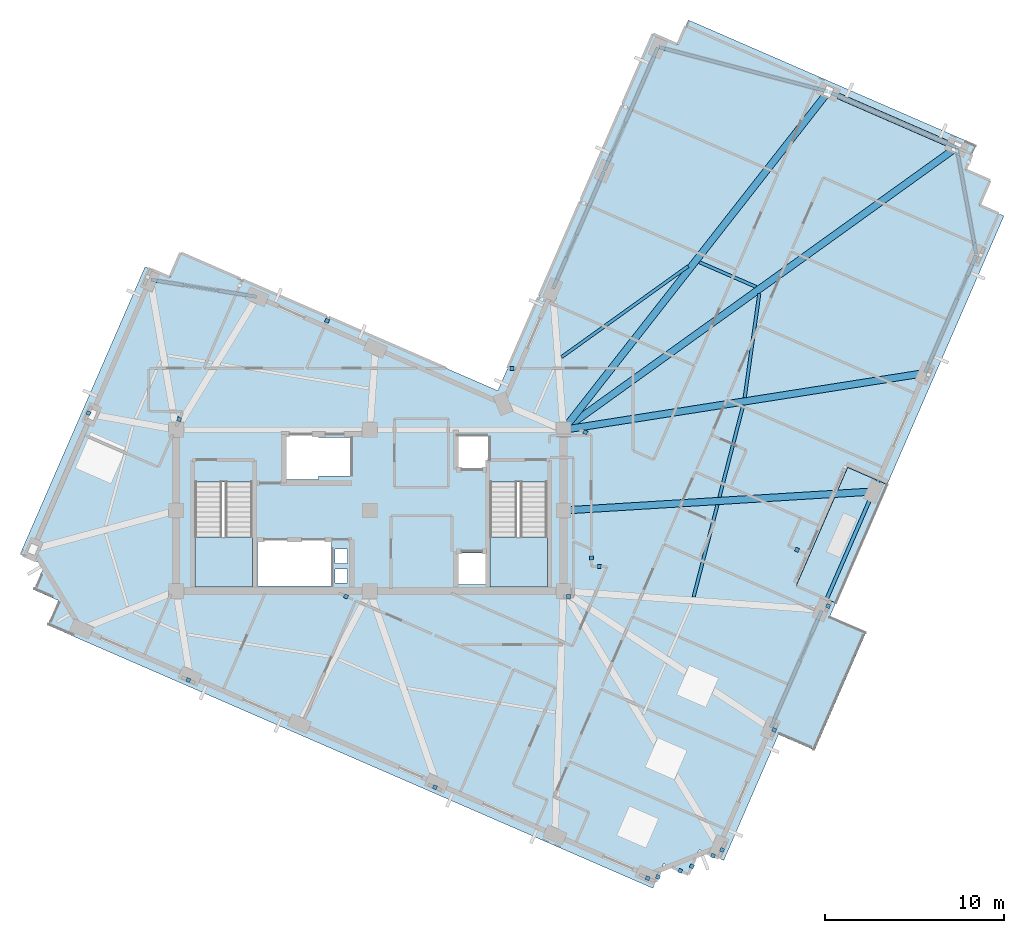
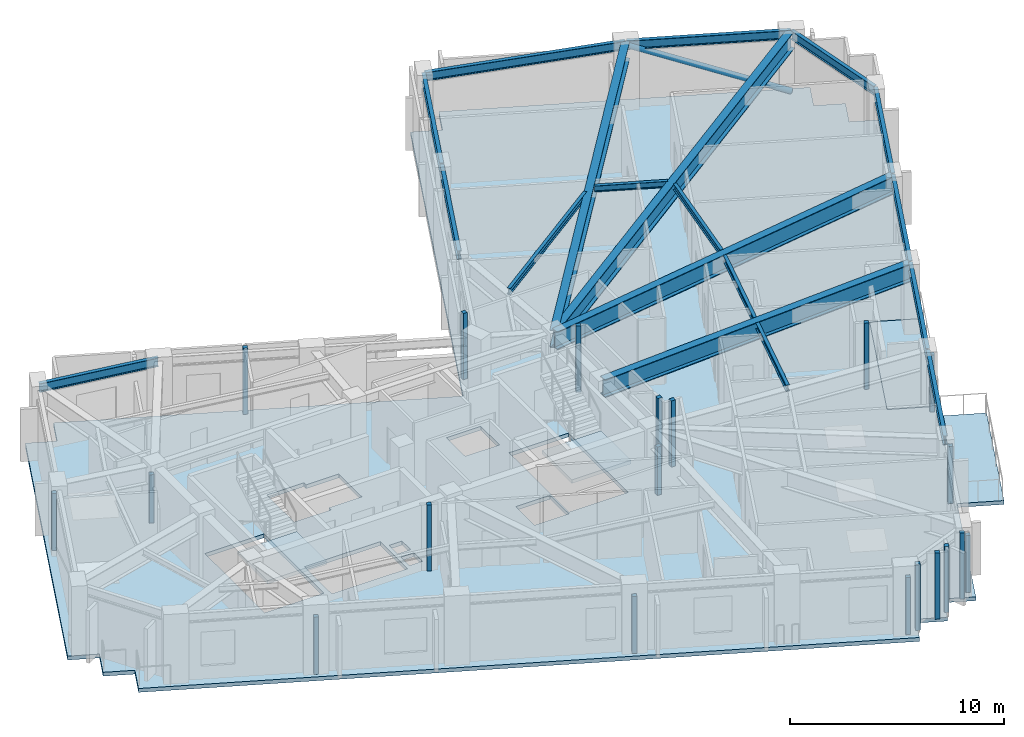
# One storey, part 2 of 11: 20 plates, 19 beams, 4 slabs, 1 member, 2 elements without a shape of their own.
"""IFC4 building model written with IfcOpenShell, lengths in metres."""

import ifcopenshell
import ifcopenshell.guid

model = None  # the IFC model being written
_history = None  # IfcOwnerHistory: only IFC2X3 demands one
_inside = {}  # id of a spatial element -> (the spatial element, [elements in it])
_under = {}  # id of a project, library or spatial element -> (it, [spatial elements below it])
_declared = {}  # id of a project -> (the project, [libraries it declares])
_typed = {}  # id of a type object -> (the type object, [elements of that type])
_made_of = {}  # id of a material, layer set ... -> (it, [elements and type objects made of it])


def new_model(schema):
    """Start an empty IFC model of exactly this schema.

    Asked for "IFC4X3", IfcOpenShell would pick the latest addendum, in which some entities
    have other attributes; the version numbers below select the first issue.
    IFC2X3 requires an IfcOwnerHistory on every rooted entity: one is made here for all.
    """
    global model, _history
    if schema == "IFC4X3":
        model = ifcopenshell.file(schema_version=(4, 3, 0, 0))
    else:
        model = ifcopenshell.file(schema=schema)
    _inside.clear()
    _under.clear()
    _declared.clear()
    _typed.clear()
    _made_of.clear()
    _history = None
    if model.schema == "IFC2X3":
        org = make("IfcOrganization", Name="unknown")
        user = make(
            "IfcPersonAndOrganization",
            ThePerson=make("IfcPerson", FamilyName="unknown"),
            TheOrganization=org,
        )
        app = make(
            "IfcApplication",
            ApplicationDeveloper=org,
            Version="unknown",
            ApplicationFullName="unknown",
            ApplicationIdentifier="unknown",
        )
        _history = make(
            "IfcOwnerHistory",
            OwningUser=user,
            OwningApplication=app,
            ChangeAction="ADDED",
            CreationDate=0,
        )
    return model


def make(cls, **values):
    """One entity of the class cls with the attributes given. An attribute that is None is left unset."""
    return model.create_entity(
        cls, **{name: value for name, value in values.items() if value is not None}
    )


def rooted(cls, **values):
    """An entity with a GlobalId (a new one), such as an element, a storey or a relation."""
    return make(cls, GlobalId=ifcopenshell.guid.new(), OwnerHistory=_history, **values)


def si_unit(unit_type, name, prefix=None):
    """IfcSIUnit, for example si_unit("LENGTHUNIT", "METRE", prefix="MILLI")."""
    return make("IfcSIUnit", UnitType=unit_type, Prefix=prefix, Name=name)


def assignment(units):
    """IfcUnitAssignment: the units of a project."""
    return None if units is None else make("IfcUnitAssignment", Units=units)


def point(xyz):
    """IfcCartesianPoint."""
    return None if xyz is None else make("IfcCartesianPoint", Coordinates=xyz)


def direction(xyz):
    """IfcDirection."""
    return None if xyz is None else make("IfcDirection", DirectionRatios=xyz)


def frame(location, z_axis=None, x_axis=None):
    """IfcAxis2Placement3D, a coordinate frame: its origin and axes. An axis left out is left unset."""
    return make(
        "IfcAxis2Placement3D",
        Location=point(location),
        Axis=direction(z_axis),
        RefDirection=direction(x_axis),
    )


def frame_2d(location, x_axis=None):
    """IfcAxis2Placement2D, a coordinate frame in the plane: its origin and x axis."""
    return make(
        "IfcAxis2Placement2D", Location=point(location), RefDirection=direction(x_axis)
    )


def origin():
    """The frame at (0, 0, 0) with its axes left unset."""
    return frame((0.0, 0.0, 0.0))


def origin_2d():
    """The frame at (0, 0) in the plane with its x axis left unset."""
    return frame_2d((0.0, 0.0))


def place(relative_to, where):
    """IfcLocalPlacement: puts the frame where relative to a parent placement (None: the world)."""
    return make(
        "IfcLocalPlacement", PlacementRelTo=relative_to, RelativePlacement=where
    )


def context(
    kind, dimensions, precision=None, world=None, true_north=None, identifier=None
):
    """IfcGeometricRepresentationContext, for example the 3D "Model" context."""
    return make(
        "IfcGeometricRepresentationContext",
        ContextIdentifier=identifier,
        ContextType=kind,
        CoordinateSpaceDimension=dimensions,
        Precision=precision,
        WorldCoordinateSystem=world,
        TrueNorth=true_north,
    )


def subcontext(parent, identifier, kind, view, scale=None):
    """IfcGeometricRepresentationSubContext, for example "Body" below "Model"."""
    return make(
        "IfcGeometricRepresentationSubContext",
        ContextIdentifier=identifier,
        ContextType=kind,
        ParentContext=parent,
        TargetScale=scale,
        TargetView=view,
    )


def project(units=None, contexts=None):
    """IfcProject with its units and contexts."""
    return rooted(
        "IfcProject",
        Name="project",
        RepresentationContexts=contexts,
        UnitsInContext=assignment(units),
    )


def spatial(cls, under=None, at=None, **own):
    """A site, building, storey or space (cls), placed at a placement, below another one or the project."""
    s = rooted(cls, ObjectPlacement=at, **own)
    if under is not None:
        _under.setdefault(under.id(), (under, []))[1].append(s)
    return s


def polyline(points):
    """IfcPolyline through the points."""
    return make("IfcPolyline", Points=[point(p) for p in points])


def profile(cls, at=None, kind="AREA", **sizes):
    """A parametric profile (cls). Its sizes go by their IFC names, for example OverallWidth=200.0."""
    return make(cls, ProfileType=kind, Position=at, **sizes)


def rectangle(**sizes):
    """IfcRectangleProfileDef."""
    return profile("IfcRectangleProfileDef", **sizes)


def hollow_circle(**sizes):
    """IfcCircleHollowProfileDef."""
    return profile("IfcCircleHollowProfileDef", **sizes)


def i_section(**sizes):
    """IfcIShapeProfileDef."""
    return profile("IfcIShapeProfileDef", **sizes)


def outline(outer, holes=None, kind="AREA"):
    """IfcArbitraryClosedProfileDef: a profile drawn as a closed curve; with holes, ...WithVoids."""
    if holes is None:
        return make("IfcArbitraryClosedProfileDef", ProfileType=kind, OuterCurve=outer)
    return make(
        "IfcArbitraryProfileDefWithVoids",
        ProfileType=kind,
        OuterCurve=outer,
        InnerCurves=holes,
    )


def extrude(swept, where, along, depth):
    """IfcExtrudedAreaSolid: the profile swept, set in the frame where, extruded along a direction by depth."""
    return make(
        "IfcExtrudedAreaSolid",
        SweptArea=swept,
        Position=where,
        ExtrudedDirection=direction(along),
        Depth=depth,
    )


def shape(context_of_items, identifier, shape_type, items):
    """IfcShapeRepresentation: the items that make up one representation, for example the "Body"."""
    return make(
        "IfcShapeRepresentation",
        ContextOfItems=context_of_items,
        RepresentationIdentifier=identifier,
        RepresentationType=shape_type,
        Items=items,
    )


def material(Name=None, Category=None):
    """IfcMaterial."""
    return make("IfcMaterial", Name=Name, Category=Category)


def layer(
    of_material, thickness, ventilated=None, Name=None, Category=None, Priority=None
):
    """IfcMaterialLayer: one layer of a wall or slab, of a material (None: an air gap)."""
    return make(
        "IfcMaterialLayer",
        Material=of_material,
        LayerThickness=thickness,
        IsVentilated=ventilated,
        Name=Name,
        Category=Category,
        Priority=Priority,
    )


def layer_set(layers, Name=None):
    """IfcMaterialLayerSet."""
    return make("IfcMaterialLayerSet", MaterialLayers=layers, LayerSetName=Name)


def material_profile(
    of_material, cross_section, Name=None, Category=None, Priority=None
):
    """IfcMaterialProfile: a cross section and its material."""
    return make(
        "IfcMaterialProfile",
        Name=Name,
        Material=of_material,
        Profile=cross_section,
        Priority=Priority,
        Category=Category,
    )


def profile_set(profiles, Name=None, composite=None):
    """IfcMaterialProfileSet."""
    return make(
        "IfcMaterialProfileSet",
        Name=Name,
        MaterialProfiles=profiles,
        CompositeProfile=composite,
    )


def made_of(thing, what):
    """Note that an element or type object is made of a material, layer set ...; save() writes the relation."""
    if what is not None:
        _made_of.setdefault(what.id(), (what, []))[1].append(thing)
    return thing


def type_object(cls, material=None, **own):
    """A type object (cls), such as IfcWallType, which elements share."""
    return made_of(rooted(cls, **own), material)


def element(
    cls,
    number,
    at=None,
    inside=None,
    cuts=None,
    type_object=None,
    material=None,
    context=None,
    identifier="Body",
    shape_type=None,
    held_by="IfcProductDefinitionShape",
    body=None,
    shapes=None,
    **own,
):
    """One element of the class cls, such as IfcWall. Its Tag is "e" and its number.

    at: its placement. inside: the storey or other place that contains it. cuts: it is an
    opening in that element (IfcRelVoidsElement). A single representation is given by context,
    identifier, shape_type and body (its items); several are given by shapes. held_by: the class
    of the entity that holds the representations. save() writes the other relations.
    """
    e = rooted(cls, Tag="e%d" % number, ObjectPlacement=at, **own)
    if body is not None:
        shapes = [shape(context, identifier, shape_type, body)]
    if shapes is not None:
        e.Representation = make(held_by, Representations=shapes)
    if inside is not None:
        _inside.setdefault(inside.id(), (inside, []))[1].append(e)
    if cuts is not None:
        rooted(
            "IfcRelVoidsElement", RelatingBuildingElement=cuts, RelatedOpeningElement=e
        )
    if type_object is not None:
        _typed.setdefault(type_object.id(), (type_object, []))[1].append(e)
    return made_of(e, material)


def aggregate(whole, parts):
    """IfcRelAggregates: a whole, such as a stair, and the parts it consists of."""
    return rooted("IfcRelAggregates", RelatingObject=whole, RelatedObjects=parts)


def save(model, path):
    """Write the relations noted so far, then the file.

    IfcRelAggregates (storeys below a building ...), IfcRelContainedInSpatialStructure (elements
    in a storey), IfcRelDefinesByType, IfcRelAssociatesMaterial and IfcRelDeclares: one each for
    every whole, place, type object, material and project.
    """
    for whole, parts in _under.values():
        aggregate(whole, parts)
    for where, things in _inside.values():
        rooted(
            "IfcRelContainedInSpatialStructure",
            RelatedElements=things,
            RelatingStructure=where,
        )
    for kind, things in _typed.values():
        rooted("IfcRelDefinesByType", RelatedObjects=things, RelatingType=kind)
    for what, things in _made_of.values():
        rooted("IfcRelAssociatesMaterial", RelatedObjects=things, RelatingMaterial=what)
    for by, libraries in _declared.values():
        rooted("IfcRelDeclares", RelatingContext=by, RelatedDefinitions=libraries)
    model.write(path)


model = new_model("IFC4")

# Units and contexts
model_context = context("Model", 3, precision=1e-05, world=origin(), true_north=direction((0.0, 1.0)))
body_context = subcontext(model_context, "Body", "Model", "MODEL_VIEW")
ifc_project = project(units=[si_unit("LENGTHUNIT", "METRE"), si_unit("AREAUNIT", "SQUARE_METRE"), si_unit("VOLUMEUNIT", "CUBIC_METRE"), si_unit("PLANEANGLEUNIT", "RADIAN"), si_unit("MASSUNIT", "GRAM", prefix="KILO")], contexts=[model_context])

# Site, building, storey
site_placement = place(None, origin())
site = spatial("IfcSite", under=ifc_project, at=site_placement, CompositionType="ELEMENT")
building_placement = place(site_placement, origin())
building = spatial("IfcBuilding", under=site, at=building_placement, Name="Gaonmaruhae Medical Tower", CompositionType="ELEMENT")
storey_placement = place(building_placement, frame((0.0, 0.0, 324.60009765625)))
storey = spatial("IfcBuildingStorey", under=building, at=storey_placement, Name="L78", CompositionType="ELEMENT", Elevation=324.60009765625)

# Beams
ifc_material_1 = material(Name="Steel SM420", Category="steel")
ifc_material_profile_1 = material_profile(ifc_material_1, i_section(OverallWidth=0.39990234375, OverallDepth=1.0, WebThickness=0.02197265625, FlangeThickness=0.035888671875, at=origin_2d()), Name="BH-1000x400x22x36")
ifc_profile_set_1 = profile_set([ifc_material_profile_1], Name="Steel SM420")
beam_type_1 = type_object("IfcBeamType", Name="BG-02 Refuge Floor Primary Girder (BH-1000x400x22x36)", PredefinedType="BEAM", material=ifc_profile_set_1)
beam_1_placement = place(storey_placement, frame((35.64990234375, 12.302978515625, 3.27978515625), z_axis=(0.998125311209, 0.061203456791, 0.0), x_axis=(-0.061203456791, 0.998125311209, 0.0)))
element("IfcBeam", 1, at=beam_1_placement, inside=storey, type_object=beam_type_1, Name="L78 Radial Primary Girder S04", PredefinedType="BEAM", context=body_context, shape_type="SweptSolid", body=[
    extrude(i_section(OverallWidth=0.39990234375, OverallDepth=1.0, WebThickness=0.02197265625, FlangeThickness=0.035888671875, at=origin_2d()), origin(), (0.0, 0.0, 1.0), 17.220458984375),
])
beam_2_placement = place(storey_placement, frame((35.6494140625, 16.807861328125, 3.27978515625), z_axis=(0.987915736395, 0.15499192812, 0.0), x_axis=(-0.15499192812, 0.987915736395, 0.0)))
element("IfcBeam", 2, at=beam_2_placement, inside=storey, type_object=beam_type_1, Name="L78 Radial Primary Girder S05", PredefinedType="BEAM", context=body_context, shape_type="SweptSolid", body=[
    extrude(i_section(OverallWidth=0.39990234375, OverallDepth=1.0, WebThickness=0.02197265625, FlangeThickness=0.035888671875, at=origin_2d()), origin(), (0.0, 0.0, 1.0), 20.3056640625),
])
beam_3_placement = place(storey_placement, frame((35.640625, 16.8291015625, 3.27978515625), z_axis=(0.812127869731, 0.583479496818, 0.0), x_axis=(-0.583479496818, 0.812127869731, 0.0)))
element("IfcBeam", 3, at=beam_3_placement, inside=storey, type_object=beam_type_1, Name="L78 Radial Primary Girder E01", PredefinedType="BEAM", context=body_context, shape_type="SweptSolid", body=[
    extrude(i_section(OverallWidth=0.39990234375, OverallDepth=1.0, WebThickness=0.02197265625, FlangeThickness=0.035888671875, at=origin_2d()), origin(), (0.0, 0.0, 1.0), 26.89794921875),
])
beam_4_placement = place(storey_placement, frame((35.630859375, 16.83935546875, 3.27978515625), z_axis=(0.616575305367, 0.78729593725, 0.0), x_axis=(-0.78729593725, 0.616575305367, 0.0)))
element("IfcBeam", 4, at=beam_4_placement, inside=storey, type_object=beam_type_1, Name="L78 Radial Primary Girder E02", PredefinedType="BEAM", context=body_context, shape_type="SweptSolid", body=[
    extrude(i_section(OverallWidth=0.39990234375, OverallDepth=1.0, WebThickness=0.02197265625, FlangeThickness=0.035888671875, at=origin_2d()), origin(), (0.0, 0.0, 1.0), 23.859130859375),
])
ifc_material_2 = material(Name="Steel SM355", Category="steel")
ifc_material_profile_2 = material_profile(ifc_material_2, i_section(OverallWidth=0.175048828125, OverallDepth=0.35009765625, WebThickness=0.007080078125, FlangeThickness=0.010986328125, FilletRadius=0.012939453125, at=origin_2d()), Name="H-350x175x7x11")
ifc_profile_set_2 = profile_set([ifc_material_profile_2], Name="Steel SM355")
beam_type_2 = type_object("IfcBeamType", Name="FJ-02 Upper Zone Ward Floor Joist (H-350x175x7x11)", PredefinedType="JOIST", material=ifc_profile_set_2)
beam_5_placement = place(storey_placement, frame((42.86083984375, 7.481201171875, 3.60498046875), z_axis=(0.250373159945, 0.968149410359, 0.0), x_axis=(-0.968149410359, 0.250373159945, 0.0)))
element("IfcBeam", 5, at=beam_5_placement, inside=storey, type_object=beam_type_2, Name="L78 Secondary Floor Joist FJ03", PredefinedType="JOIST", context=body_context, shape_type="SweptSolid", body=[
    extrude(i_section(OverallWidth=0.175048828125, OverallDepth=0.35009765625, WebThickness=0.007080078125, FlangeThickness=0.010986328125, FilletRadius=0.012939453125, at=origin_2d()), origin(), (0.0, 0.0, 1.0), 5.30859375),
])
beam_6_placement = place(storey_placement, frame((44.298095703125, 13.03955078125, 3.60498046875), z_axis=(0.25037313325, 0.968149417263, 0.0), x_axis=(-0.968149417263, 0.25037313325, 0.0)))
element("IfcBeam", 6, at=beam_6_placement, inside=storey, type_object=beam_type_2, Name="L78 Secondary Floor Joist FJ04", PredefinedType="JOIST", context=body_context, shape_type="SweptSolid", body=[
    extrude(i_section(OverallWidth=0.175048828125, OverallDepth=0.35009765625, WebThickness=0.007080078125, FlangeThickness=0.010986328125, FilletRadius=0.012939453125, at=origin_2d()), origin(), (0.0, 0.0, 1.0), 5.2939453125),
])
beam_7_placement = place(storey_placement, frame((45.70947265625, 18.594482421875, 3.60498046875), z_axis=(0.138970704931, 0.990296492557, 0.0), x_axis=(-0.990296492557, 0.138970704931, 0.0)))
element("IfcBeam", 7, at=beam_7_placement, inside=storey, type_object=beam_type_2, Name="L78 Secondary Floor Joist FJ05", PredefinedType="JOIST", context=body_context, shape_type="SweptSolid", body=[
    extrude(i_section(OverallWidth=0.175048828125, OverallDepth=0.35009765625, WebThickness=0.007080078125, FlangeThickness=0.010986328125, FilletRadius=0.012939453125, at=origin_2d()), origin(), (0.0, 0.0, 1.0), 5.85888671875),
])
beam_8_placement = place(storey_placement, frame((46.34375, 24.771484375, 3.60498046875), z_axis=(-0.917037412136, 0.39880118448, 0.0), x_axis=(-0.39880118448, -0.917037412136, 0.0)))
element("IfcBeam", 8, at=beam_8_placement, inside=storey, type_object=beam_type_2, Name="L78 Secondary Floor Joist FJ06", PredefinedType="JOIST", context=body_context, shape_type="SweptSolid", body=[
    extrude(i_section(OverallWidth=0.175048828125, OverallDepth=0.35009765625, WebThickness=0.007080078125, FlangeThickness=0.010986328125, FilletRadius=0.012939453125, at=origin_2d()), origin(), (0.0, 0.0, 1.0), 3.448486328125),
])
beam_9_placement = place(storey_placement, frame((42.553955078125, 25.921142578125, 3.60498046875), z_axis=(-0.812434971378, -0.583051813548, 0.0), x_axis=(0.583051813548, -0.812434971378, 0.0)))
element("IfcBeam", 9, at=beam_9_placement, inside=storey, type_object=beam_type_2, Name="L78 Secondary Floor Joist FJ07", PredefinedType="JOIST", context=body_context, shape_type="SweptSolid", body=[
    extrude(i_section(OverallWidth=0.175048828125, OverallDepth=0.35009765625, WebThickness=0.007080078125, FlangeThickness=0.010986328125, FilletRadius=0.012939453125, at=origin_2d()), origin(), (0.0, 0.0, 1.0), 8.690185546875),
])

# Member
ifc_material_profile_3 = material_profile(ifc_material_2, hollow_circle(Radius=0.1591796875, WallThickness=0.01025390625, at=origin_2d()), Name="CHS-318.5x10.3")
ifc_profile_set_3 = profile_set([ifc_material_profile_3], Name="Steel SM355")
member_type = type_object("IfcMemberType", Name="PB-03 Perimeter Solid-Bay Tube Brace Upper (CHS-318.5x10.3)", PredefinedType="BRACE", material=ifc_profile_set_3)
member_placement = place(storey_placement, frame((57.525634765625, 32.552734375, 0.25), z_axis=(-0.845363434986, 0.367570646402, 0.387624151328), x_axis=(-0.398745568807, -0.917061596272, 0.0)))
element("IfcMember", 10, at=member_placement, inside=storey, type_object=member_type, Name="L78 Perimeter Tube Solid-Bay Brace E01-E02", PredefinedType="BRACE", context=body_context, shape_type="SweptSolid", body=[
    extrude(hollow_circle(Radius=0.1591796875, WallThickness=0.01025390625, at=origin_2d()), origin(), (0.0, 0.0, 1.0), 8.461181640625),
])

# Beams
ifc_material_profile_4 = material_profile(ifc_material_2, i_section(OverallWidth=0.199951171875, OverallDepth=0.5, WebThickness=0.010009765625, FlangeThickness=0.01611328125, FilletRadius=0.012939453125, at=origin_2d()), Name="H-500x200x10x16")
ifc_profile_set_4 = profile_set([ifc_material_profile_4], Name="Steel SM355")
beam_type_3 = type_object("IfcBeamType", Name="SP-02 Upper Perimeter Spandrel Beam (H-500x200x10x16)", PredefinedType="SPANDREL", material=ifc_profile_set_4)
beam_10_placement = place(storey_placement, frame((47.162109375, 0.191162109375, 3.52978515625), z_axis=(0.398759965154, 0.917055336493, 0.0), x_axis=(-0.917055336493, 0.398759965154, 0.0)))
element("IfcBeam", 11, at=beam_10_placement, inside=storey, type_object=beam_type_3, Name="L78 Perimeter Spandrel Beam S02-S03", PredefinedType="SPANDREL", context=body_context, shape_type="SweptSolid", body=[
    extrude(i_section(OverallWidth=0.199951171875, OverallDepth=0.5, WebThickness=0.010009765625, FlangeThickness=0.01611328125, FilletRadius=0.012939453125, at=origin_2d()), origin(), (0.0, 0.0, 1.0), 7.119873046875),
])
for number, where, z_axis, x_axis, name in (
    (12, (50.032958984375, 6.7939453125, 3.52978515625), (0.398747426125, 0.917060788693, 0.0), (-0.917060788693, 0.398747426125, 0.0), "L78 Perimeter Spandrel Beam S03-S04"),
    (13, (52.904052734375, 13.396728515625, 3.52978515625), (0.398747426125, 0.917060788693, 0.0), (-0.917060788693, 0.398747426125, 0.0), "L78 Perimeter Spandrel Beam S04-S05"),
):
    element("IfcBeam", number, at=place(storey_placement, frame(where, z_axis=z_axis, x_axis=x_axis)), inside=storey, type_object=beam_type_3, Name=name, PredefinedType="SPANDREL", context=body_context, shape_type="SweptSolid", body=[
        extrude(i_section(OverallWidth=0.199951171875, OverallDepth=0.5, WebThickness=0.010009765625, FlangeThickness=0.01611328125, FilletRadius=0.012939453125, at=origin_2d()), origin(), (0.0, 0.0, 1.0), 7.1201171875),
    ])
beam_11_placement = place(storey_placement, frame((55.775146484375, 19.99951171875, 3.52978515625), z_axis=(0.398718588421, 0.917073327083, 0.0), x_axis=(-0.917073327083, 0.398718588421, 0.0)))
element("IfcBeam", 14, at=beam_11_placement, inside=storey, type_object=beam_type_3, Name="L78 Perimeter Spandrel Beam S05-S06", PredefinedType="SPANDREL", context=body_context, shape_type="SweptSolid", body=[
    extrude(i_section(OverallWidth=0.199951171875, OverallDepth=0.5, WebThickness=0.010009765625, FlangeThickness=0.01611328125, FilletRadius=0.012939453125, at=origin_2d()), origin(), (0.0, 0.0, 1.0), 7.119873046875),
])
beam_12_placement = place(storey_placement, frame((58.622802734375, 26.60498046875, 3.52978515625), z_axis=(-0.181402379506, 0.983408957001, 0.0), x_axis=(-0.983408957001, -0.181402379506, 0.0)))
element("IfcBeam", 15, at=beam_12_placement, inside=storey, type_object=beam_type_3, Name="L78 Perimeter Spandrel Beam S06-E01", PredefinedType="SPANDREL", context=body_context, shape_type="SweptSolid", body=[
    extrude(i_section(OverallWidth=0.199951171875, OverallDepth=0.5, WebThickness=0.010009765625, FlangeThickness=0.01611328125, FilletRadius=0.012939453125, at=origin_2d()), origin(), (0.0, 0.0, 1.0), 6.0078125),
])
beam_13_placement = place(storey_placement, frame((57.489013671875, 32.568603515625, 3.52978515625), z_axis=(-0.91705648068, 0.398757333778, 0.0), x_axis=(-0.398757333778, -0.91705648068, 0.0)))
element("IfcBeam", 16, at=beam_13_placement, inside=storey, type_object=beam_type_3, Name="L78 Perimeter Spandrel Beam E01-E02", PredefinedType="SPANDREL", context=body_context, shape_type="SweptSolid", body=[
    extrude(i_section(OverallWidth=0.199951171875, OverallDepth=0.5, WebThickness=0.010009765625, FlangeThickness=0.01611328125, FilletRadius=0.012939453125, at=origin_2d()), origin(), (0.0, 0.0, 1.0), 7.719970703125),
])
beam_14_placement = place(storey_placement, frame((50.333984375, 35.673095703125, 3.52978515625), z_axis=(-0.967227039177, 0.253913084904, 0.0), x_axis=(-0.253913084904, -0.967227039177, 0.0)))
element("IfcBeam", 17, at=beam_14_placement, inside=storey, type_object=beam_type_3, Name="L78 Perimeter Spandrel Beam E02-E03", PredefinedType="SPANDREL", context=body_context, shape_type="SweptSolid", body=[
    extrude(i_section(OverallWidth=0.199951171875, OverallDepth=0.5, WebThickness=0.010009765625, FlangeThickness=0.01611328125, FilletRadius=0.012939453125, at=origin_2d()), origin(), (0.0, 0.0, 1.0), 9.7353515625),
])
beam_15_placement = place(storey_placement, frame((40.863037109375, 38.118408203125, 3.52978515625), z_axis=(-0.398738062403, -0.917064860079, 0.0), x_axis=(0.917064860079, -0.398738062403, 0.0)))
element("IfcBeam", 18, at=beam_15_placement, inside=storey, type_object=beam_type_3, Name="L78 Perimeter Spandrel Beam E03-EN01", PredefinedType="SPANDREL", context=body_context, shape_type="SweptSolid", body=[
    extrude(i_section(OverallWidth=0.199951171875, OverallDepth=0.5, WebThickness=0.010009765625, FlangeThickness=0.01611328125, FilletRadius=0.012939453125, at=origin_2d()), origin(), (0.0, 0.0, 1.0), 7.469970703125),
])
beam_16_placement = place(storey_placement, frame((37.8525390625, 31.194580078125, 3.52978515625), z_axis=(-0.398759965154, -0.917055336493, 0.0), x_axis=(0.917055336493, -0.398759965154, 0.0)))
element("IfcBeam", 19, at=beam_16_placement, inside=storey, type_object=beam_type_3, Name="L78 Perimeter Spandrel Beam EN01-EN02", PredefinedType="SPANDREL", context=body_context, shape_type="SweptSolid", body=[
    extrude(i_section(OverallWidth=0.199951171875, OverallDepth=0.5, WebThickness=0.010009765625, FlangeThickness=0.01611328125, FilletRadius=0.012939453125, at=origin_2d()), origin(), (0.0, 0.0, 1.0), 7.119873046875),
])
beam_17_placement = place(storey_placement, frame((18.4765625, 24.22265625, 3.52978515625), z_axis=(-0.987363817678, 0.158469844265, 0.0), x_axis=(-0.158469844265, -0.987363817678, 0.0)))
element("IfcBeam", 20, at=beam_17_placement, inside=storey, type_object=beam_type_3, Name="L78 Perimeter Spandrel Beam NE02-N01", PredefinedType="SPANDREL", context=body_context, shape_type="SweptSolid", body=[
    extrude(i_section(OverallWidth=0.199951171875, OverallDepth=0.5, WebThickness=0.010009765625, FlangeThickness=0.01611328125, FilletRadius=0.012939453125, at=origin_2d()), origin(), (0.0, 0.0, 1.0), 5.958984375),
])

# Slab
ifc_material_3 = material(Name="Concrete C40/50", Category="concrete")
ifc_layer_1 = layer(ifc_material_3, 0.219970703125)
ifc_layer_set_1 = layer_set([ifc_layer_1], Name="Concrete C40/50")
slab_type_1 = type_object("IfcSlabType", Name="FS-220 Clinical Ward Composite Floor Slab", PredefinedType="FLOOR", material=ifc_layer_set_1)
slab_1_placement = place(storey_placement, frame((0.0, 0.0, -0.22021484375)))
element("IfcSlab", 21, at=slab_1_placement, inside=storey, type_object=slab_type_1, Name="L78 Structural Slab 1", PredefinedType="FLOOR", context=body_context, shape_type="SweptSolid", body=[
    extrude(outline(polyline([(43.164794921875, -6.619873046875), (42.56640625, -7.995361328125), (41.19091796875, -7.397216796875), (40.5927734375, -8.77294921875), (6.844970703125, 5.901123046875), (7.443115234375, 7.276611328125), (6.0673828125, 7.874755859375), (6.665771484375, 9.25048828125), (5.2900390625, 9.848388671875), (12.268310546875, 25.89697265625), (13.643798828125, 25.298828125), (14.241943359375, 26.674560546875), (31.941162109375, 18.978515625), (40.593994140625, 38.87890625), (41.969482421875, 38.28076171875), (42.567626953125, 39.65625), (58.6162109375, 32.67822265625), (58.01806640625, 31.302490234375), (59.393798828125, 30.70458984375), (58.795654296875, 29.328857421875), (60.171142578125, 28.730712890625), (53.65478515625, 13.744140625), (51.453857421875, 14.701171875), (48.5830078125, 8.098388671875), (50.783935546875, 7.141357421875), (50.46484375, 6.40771484375), (52.482421875, 5.530517578125), (49.611328125, -1.072509765625), (47.593994140625, -0.195068359375), (44.540283203125, -7.218017578125), (43.164794921875, -6.619873046875)]), holes=[polyline([(23.550048828125, 8.25), (22.85009765625, 8.25), (22.85009765625, 9.050048828125), (23.550048828125, 9.050048828125), (23.550048828125, 8.25)]), polyline([(29.574951171875, 9.925048828125), (31.425048828125, 9.925048828125), (31.425048828125, 8.175048828125), (29.574951171875, 8.175048828125), (29.574951171875, 9.925048828125)]), polyline([(18.550048828125, 10.625), (22.64990234375, 10.625), (22.64990234375, 8.074951171875), (18.550048828125, 8.074951171875), (18.550048828125, 10.625)]), polyline([(23.550048828125, 9.35009765625), (22.85009765625, 9.35009765625), (22.85009765625, 10.14990234375), (23.550048828125, 10.14990234375), (23.550048828125, 9.35009765625)]), polyline([(15.050048828125, 13.889892578125), (18.25, 13.889892578125), (18.25, 8.300048828125), (15.050048828125, 8.300048828125), (15.050048828125, 13.889892578125)]), polyline([(31.5, 13.889892578125), (34.699951171875, 13.889892578125), (34.699951171875, 8.300048828125), (31.5, 8.300048828125), (31.5, 13.889892578125)]), polyline([(23.72509765625, 14.22509765625), (21.949951171875, 14.22509765625), (21.949951171875, 14.02490234375), (19.949951171875, 14.02490234375), (19.949951171875, 16.574951171875), (21.949951171875, 16.574951171875), (21.949951171875, 16.375), (23.72509765625, 16.375), (23.72509765625, 14.22509765625)]), polyline([(31.425048828125, 16.425048828125), (31.425048828125, 14.675048828125), (29.574951171875, 14.675048828125), (29.574951171875, 16.425048828125), (31.425048828125, 16.425048828125)])]), origin(), (0.0, 0.0, 1.0), 0.22021484375),
])

# Plates
ifc_material_4 = material(Name="Anodised aluminium 6063-T6", Category="aluminium")
ifc_layer_2 = layer(ifc_material_4, 0.011962890625)
ifc_layer_set_2 = layer_set([ifc_layer_2], Name="Anodised aluminium 6063-T6")
plate_type = type_object("IfcPlateType", Name="PP-01 Interior Partition Corner Stiffener Plate", PredefinedType="SHEET", material=ifc_layer_set_2)
plate_1_placement = place(storey_placement, frame((44.446044921875, -6.633056640625, 0.0), z_axis=(0.0, 0.0, 1.0), x_axis=(-0.399245187787, -0.916844196158, 0.0)))
element("IfcPlate", 22, at=plate_1_placement, inside=storey, type_object=plate_type, Name="L78 Partition Corner Stiffener Plate PLT-L78-JGP-PW011", PredefinedType="SHEET", context=body_context, shape_type="SweptSolid", body=[
    extrude(rectangle(XDim=0.219970703125, YDim=0.219970703125, at=origin_2d()), origin(), (0.0, 0.0, 1.0), 3.264892578125),
])
for number, where, z_axis, x_axis, name in (
    (23, (43.94091796875, -6.95703125, 0.0), (0.0, 0.0, 1.0), (-0.917115741319, 0.398621019297, 0.0), "L78 Partition Corner Stiffener Plate PLT-L78-JGP-PW012"),
    (24, (42.763916015625, -7.54248046875, 0.0), (0.0, 0.0, 1.0), (-0.399165176517, -0.916879033383, 0.0), "L78 Partition Corner Stiffener Plate PLT-L78-JGP-PW013"),
    (25, (42.114501953125, -7.798583984375, 0.0), (0.0, 0.0, 1.0), (-0.917247878626, 0.398316870288, 0.0), "L78 Partition Corner Stiffener Plate PLT-L78-JGP-PW014"),
    (26, (40.868896484375, -8.136962890625, 0.0), (0.0, 0.0, 1.0), (-0.398845101045, -0.917018312452, 0.0), "L78 Partition Corner Stiffener Plate PLT-L78-JGP-PW015"),
):
    element("IfcPlate", number, at=place(storey_placement, frame(where, z_axis=z_axis, x_axis=x_axis)), inside=storey, type_object=plate_type, Name=name, PredefinedType="SHEET", context=body_context, shape_type="SweptSolid", body=[
        extrude(rectangle(XDim=0.219970703125, YDim=0.219970703125, at=origin_2d()), origin(), (0.0, 0.0, 1.0), 3.780029296875),
    ])
for number, where, z_axis, x_axis, name in (
    (27, (40.294921875, -8.20703125, 0.0), (0.0, 0.0, 1.0), (-0.916844196158, 0.399245187787, 0.0), "L78 Partition Corner Stiffener Plate PLT-L78-JGP-PW016"),
    (28, (47.357421875, 0.0625, 0.0), (0.0, 0.0, 1.0), (-0.398765074582, -0.917053114761, 0.0), "L78 Partition Corner Stiffener Plate PLT-L78-JGP-PW022"),
):
    element("IfcPlate", number, at=place(storey_placement, frame(where, z_axis=z_axis, x_axis=x_axis)), inside=storey, type_object=plate_type, Name=name, PredefinedType="SHEET", context=body_context, shape_type="SweptSolid", body=[
        extrude(rectangle(XDim=0.219970703125, YDim=0.219970703125, at=origin_2d()), origin(), (0.0, 0.0, 1.0), 3.264892578125),
    ])
plate_2_placement = place(storey_placement, frame((48.62548828125, 10.1083984375, 0.0), z_axis=(0.0, 0.0, 1.0), x_axis=(0.916872066496, -0.399181179014, 0.0)))
element("IfcPlate", 29, at=plate_2_placement, inside=storey, type_object=plate_type, Name="L78 Partition Corner Stiffener Plate PLT-L78-JGP-PW030", PredefinedType="SHEET", context=body_context, shape_type="SweptSolid", body=[
    extrude(rectangle(XDim=0.219970703125, YDim=0.219970703125, at=origin_2d()), origin(), (0.0, 0.0, 1.0), 3.780029296875),
])
for number, where, z_axis, x_axis, name in (
    (30, (50.35888671875, 6.967529296875, 0.0), (0.0, 0.0, 1.0), (-0.398508969497, -0.917164435219, 0.0), "L78 Partition Corner Stiffener Plate PLT-L78-JGP-PW032"),
    (31, (28.431396484375, -3.136474609375, 0.0), (0.0, 0.0, 1.0), (-0.917053114761, 0.398765074582, 0.0), "L78 Partition Corner Stiffener Plate PLT-L78-JGP-PW066"),
):
    element("IfcPlate", number, at=place(storey_placement, frame(where, z_axis=z_axis, x_axis=x_axis)), inside=storey, type_object=plate_type, Name=name, PredefinedType="SHEET", context=body_context, shape_type="SweptSolid", body=[
        extrude(rectangle(XDim=0.219970703125, YDim=0.219970703125, at=origin_2d()), origin(), (0.0, 0.0, 1.0), 3.264892578125),
    ])
plate_3_placement = place(storey_placement, frame((23.472900390625, 7.50341796875, 0.0), z_axis=(0.0, 0.0, 1.0), x_axis=(0.916906898134, -0.399101165312, 0.0)))
element("IfcPlate", 32, at=plate_3_placement, inside=storey, type_object=plate_type, Name="L78 Partition Corner Stiffener Plate PLT-L78-JGP-PW072", PredefinedType="SHEET", context=body_context, shape_type="SweptSolid", body=[
    extrude(rectangle(XDim=0.219970703125, YDim=0.219970703125, at=origin_2d()), origin(), (0.0, 0.0, 1.0), 3.780029296875),
])
plate_4_placement = place(storey_placement, frame((14.675537109375, 2.844970703125, 0.0), z_axis=(0.0, 0.0, 1.0), x_axis=(-0.916586183712, 0.399837176647, 0.0)))
element("IfcPlate", 33, at=plate_4_placement, inside=storey, type_object=plate_type, Name="L78 Partition Corner Stiffener Plate PLT-L78-JGP-PW073", PredefinedType="SHEET", context=body_context, shape_type="SweptSolid", body=[
    extrude(rectangle(XDim=0.219970703125, YDim=0.219970703125, at=origin_2d()), origin(), (0.0, 0.0, 1.0), 3.264892578125),
])
for number, where, z_axis, x_axis, name in (
    (34, (37.155517578125, 9.662109375, 0.0), (0.0, 0.0, 1.0), (0.011344396795, -0.99993565026, 0.0), "L78 Partition Corner Stiffener Plate PLT-L78-JGP-PW076"),
    (35, (37.597900390625, 9.173583984375, 0.0), (0.0, 0.0, 1.0), (0.99996791162, -0.008010975579, 0.0), "L78 Partition Corner Stiffener Plate PLT-L78-JGP-PW077"),
):
    element("IfcPlate", number, at=place(storey_placement, frame(where, z_axis=z_axis, x_axis=x_axis)), inside=storey, type_object=plate_type, Name=name, PredefinedType="SHEET", context=body_context, shape_type="SweptSolid", body=[
        extrude(rectangle(XDim=0.219970703125, YDim=0.219970703125, at=origin_2d()), origin(), (0.0, 0.0, 1.0), 3.780029296875),
    ])
plate_5_placement = place(storey_placement, frame((35.875, 7.5, 0.0), z_axis=(0.0, 0.0, 1.0), x_axis=(1.0, 0.0, 0.0)))
element("IfcPlate", 36, at=plate_5_placement, inside=storey, type_object=plate_type, Name="L78 Partition Corner Stiffener Plate PLT-L78-JGP-PW080", PredefinedType="SHEET", context=body_context, shape_type="SweptSolid", body=[
    extrude(rectangle(XDim=0.219970703125, YDim=0.219970703125, at=origin_2d()), origin(), (0.0, 0.0, 1.0), 2.764892578125),
])
for number, where, z_axis, x_axis, name in (
    (37, (36.824951171875, 16.657470703125, 0.0), (0.0, 0.0, 1.0), (0.916865099331, -0.399197181389, 0.0), "L78 Partition Corner Stiffener Plate PLT-L78-JGP-PW084"),
    (38, (32.722412109375, 20.22998046875, 0.0), (0.0, 0.0, 1.0), (-1.0, 0.0, 0.0), "L78 Partition Corner Stiffener Plate PLT-L78-JGP-PW089"),
    (39, (22.41796875, 22.882568359375, 0.0), (0.0, 0.0, 1.0), (0.399741189774, 0.916628049537, 0.0), "L78 Partition Corner Stiffener Plate PLT-L78-JGP-PW110"),
):
    element("IfcPlate", number, at=place(storey_placement, frame(where, z_axis=z_axis, x_axis=x_axis)), inside=storey, type_object=plate_type, Name=name, PredefinedType="SHEET", context=body_context, shape_type="SweptSolid", body=[
        extrude(rectangle(XDim=0.219970703125, YDim=0.219970703125, at=origin_2d()), origin(), (0.0, 0.0, 1.0), 3.780029296875),
    ])
plate_6_placement = place(storey_placement, frame((14.17138671875, 17.385009765625, 0.0), z_axis=(0.0, 0.0, 1.0), x_axis=(-0.398941128791, -0.916976540463, 0.0)))
element("IfcPlate", 40, at=plate_6_placement, inside=storey, type_object=plate_type, Name="L78 Partition Corner Stiffener Plate PLT-L78-JGP-PW120", PredefinedType="SHEET", context=body_context, shape_type="SweptSolid", body=[
    extrude(rectangle(XDim=0.219970703125, YDim=0.219970703125, at=origin_2d()), origin(), (0.0, 0.0, 1.0), 2.764892578125),
])
plate_7_placement = place(storey_placement, frame((9.109619140625, 17.7294921875, 0.0), z_axis=(0.0, 0.0, 1.0), x_axis=(0.398765074582, 0.917053114761, 0.0)))
element("IfcPlate", 41, at=plate_7_placement, inside=storey, type_object=plate_type, Name="L78 Partition Corner Stiffener Plate PLT-L78-JGP-PW123", PredefinedType="SHEET", context=body_context, shape_type="SweptSolid", body=[
    extrude(rectangle(XDim=0.219970703125, YDim=0.219970703125, at=origin_2d()), origin(), (0.0, 0.0, 1.0), 3.264892578125),
])

# Stair, slab
stair_type = type_object("IfcStairType", Name="ST-T1 Primary Core Escape Dogleg Stair", PredefinedType="TWO_QUARTER_TURN_STAIR", material=ifc_material_3)
stair_1_placement = place(storey_placement, origin())
stair_1 = element("IfcStair", 42, at=stair_1_placement, inside=storey, type_object=stair_type, Name="L78 Protected Escape Stair ST-01", PredefinedType="TWO_QUARTER_TURN_STAIR")
ifc_layer_3 = layer(ifc_material_3, 0.199951171875)
ifc_layer_set_3 = layer_set([ifc_layer_3], Name="Concrete C40/50")
slab_type_2 = type_object("IfcSlabType", Name="SL-200 Stair & Ramp Intermediate Concrete Landing", PredefinedType="LANDING", material=ifc_layer_set_3)
slab_2_placement = place(storey_placement, frame((0.0, 0.0, 1.7998046875)))
slab_2 = element("IfcSlab", 43, at=slab_2_placement, type_object=slab_type_2, Name="ST-01 landing 1", PredefinedType="LANDING", context=body_context, shape_type="SweptSolid", body=[
    extrude(outline(polyline([(15.050048828125, 10.820068359375), (15.050048828125, 8.029052734375), (18.25, 8.029052734375), (18.25, 10.820068359375), (15.050048828125, 10.820068359375)])), origin(), (0.0, 0.0, 1.0), 0.2001953125),
])
aggregate(stair_1, [slab_2])

stair_2_placement = place(storey_placement, origin())
stair_2 = element("IfcStair", 44, at=stair_2_placement, inside=storey, type_object=stair_type, Name="L78 Protected Escape Stair ST-02", PredefinedType="TWO_QUARTER_TURN_STAIR")
slab_3_placement = place(storey_placement, frame((0.0, 0.0, 1.7998046875)))
slab_3 = element("IfcSlab", 45, at=slab_3_placement, type_object=slab_type_2, Name="ST-02 landing 1", PredefinedType="LANDING", context=body_context, shape_type="SweptSolid", body=[
    extrude(outline(polyline([(31.5, 10.820068359375), (31.5, 8.029052734375), (34.699951171875, 8.029052734375), (34.699951171875, 10.820068359375), (31.5, 10.820068359375)])), origin(), (0.0, 0.0, 1.0), 0.2001953125),
])
aggregate(stair_2, [slab_3])

# Slab
ifc_layer_4 = layer(ifc_material_3, 0.239990234375)
ifc_layer_set_4 = layer_set([ifc_layer_4], Name="Concrete C40/50")
slab_type_3 = type_object("IfcSlabType", Name="TS-240 Sky Garden & Recovery Terrace Slab", PredefinedType="FLOOR", material=ifc_layer_set_4)
slab_4_placement = place(storey_placement, frame((0.0, 0.0, -0.239990234375)))
element("IfcSlab", 46, at=slab_4_placement, inside=storey, type_object=slab_type_3, Name="L78 Outdoor Recovery Terrace Slab", PredefinedType="FLOOR", context=body_context, shape_type="SweptSolid", body=[
    extrude(outline(polyline([(50.783935546875, 7.141357421875), (53.65478515625, 13.744140625), (51.453857421875, 14.701171875), (48.5830078125, 8.098388671875), (50.783935546875, 7.141357421875)])), origin(), (0.0, 0.0, 1.0), 0.239990234375),
])

save(model, "model.ifc")
